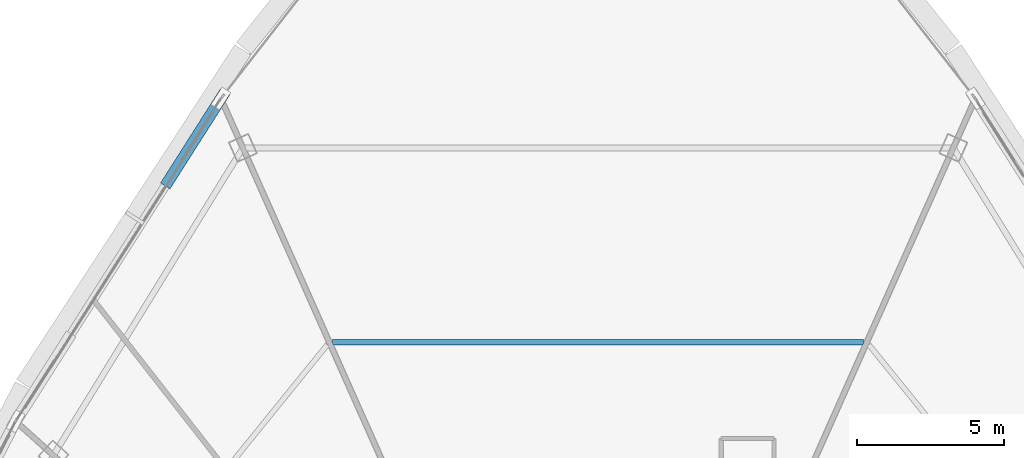
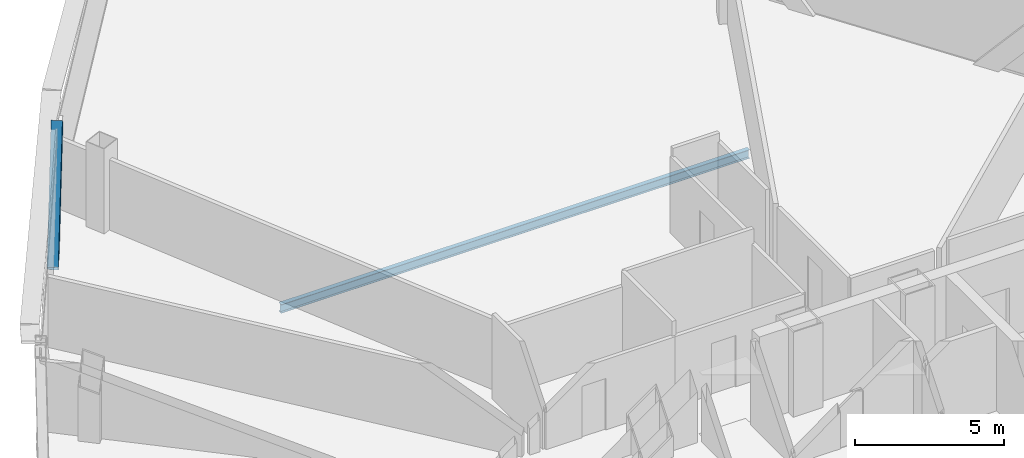
# One storey, part 20 of 35: 1 beam, 1 member.
"""IFC4 building model written with IfcOpenShell, lengths in metres."""

from ifc_helpers import new_model, si_unit, direction, frame, origin, origin_2d, place, context, subcontext, project, spatial, hollow_rectangle, i_section, extrude, source, transform, mapped, material, material_profile, profile_set, type_object, element, save


model = new_model("IFC4")

# Units and contexts
model_context = context("Model", 3, precision=1e-05, world=origin(), true_north=direction((0.0, 1.0)))
body_context = subcontext(model_context, "Body", "Model", "MODEL_VIEW")
ifc_project = project(units=[si_unit("LENGTHUNIT", "METRE"), si_unit("AREAUNIT", "SQUARE_METRE"), si_unit("VOLUMEUNIT", "CUBIC_METRE"), si_unit("PLANEANGLEUNIT", "RADIAN"), si_unit("MASSUNIT", "GRAM", prefix="KILO"), si_unit("THERMODYNAMICTEMPERATUREUNIT", "KELVIN"), si_unit("POWERUNIT", "WATT")], contexts=[model_context])

# Site, building, storey
site_placement = place(None, origin())
site = spatial("IfcSite", under=ifc_project, at=site_placement, CompositionType="ELEMENT")
building_placement = place(site_placement, origin())
building = spatial("IfcBuilding", under=site, at=building_placement, Name="Yunzhuo Pagoda Commons", CompositionType="ELEMENT")
storey_placement = place(building_placement, frame((0.0, 0.0, 299.93994140625)))
storey = spatial("IfcBuildingStorey", under=building, at=storey_placement, Name="L75", CompositionType="ELEMENT", Elevation=299.93994140625)

# Beam
ifc_material = material(Name="Structural steel Q355B", Category="steel")
ifc_material_profile_1 = material_profile(ifc_material, i_section(OverallWidth=0.175048828125, OverallDepth=0.35009765625, WebThickness=0.007080078125, FlangeThickness=0.010986328125, at=origin_2d()), Name="Structural steel Q355B")
ifc_profile_set_1 = profile_set([ifc_material_profile_1], Name="Structural steel Q355B")
beam_type = type_object("IfcBeamType", Name="B-JS2 Joist HN 350x175x7x11", PredefinedType="JOIST", material=ifc_profile_set_1)
shared_shape_1 = source(origin(), body_context, "Body", "SweptSolid", [
    extrude(i_section(OverallWidth=0.175048828125, OverallDepth=0.35009765625, WebThickness=0.007080078125, FlangeThickness=0.010986328125, at=origin_2d()), origin(), (0.0, 0.0, 1.0), 18.09765625),
])
beam_placement = place(storey_placement, frame((57.048828125, 54.2822265625, -0.43505859375), z_axis=(-1.0, 0.0, 0.0), x_axis=(0.0, -1.0, 0.0)))
element("IfcBeam", 1, at=beam_placement, inside=storey, type_object=beam_type, Name="L75 composite ring joist 2.8", PredefinedType="JOIST", context=body_context, shape_type="MappedRepresentation", body=[
    mapped(shared_shape_1, transform((0.0, 0.0, 0.0), scale=1.0)),
])

# Member
ifc_material_profile_2 = material_profile(ifc_material, hollow_rectangle(XDim=0.3798828125, YDim=0.719970703125, WallThickness=0.02001953125, at=origin_2d()), Name="Structural steel Q355B")
ifc_profile_set_2 = profile_set([ifc_material_profile_2], Name="Structural steel Q355B")
member_type = type_object("IfcMemberType", Name="M-DL3 Brace BOX 720x380x20", PredefinedType="BRACE", material=ifc_profile_set_2)
shared_shape_2 = source(origin(), body_context, "Body", "SweptSolid", [
    extrude(hollow_rectangle(XDim=0.3798828125, YDim=0.719970703125, WallThickness=0.02001953125, at=origin_2d()), origin(), (0.0, 0.0, 1.0), 4.95458984375),
])
member_placement = place(storey_placement, frame((33.3857421875, 59.841796875, -0.260009765625), z_axis=(0.353151166465, 0.555472736091, 0.752817569591), x_axis=(-0.843889512446, 0.53651699953, 0.0)))
element("IfcMember", 2, at=member_placement, inside=storey, type_object=member_type, Name="L75 facade diamond brace F3.1L", PredefinedType="BRACE", context=body_context, shape_type="MappedRepresentation", body=[
    mapped(shared_shape_2, transform((0.0, 0.0, 0.0), scale=1.0)),
])

save(model, "model.ifc")
